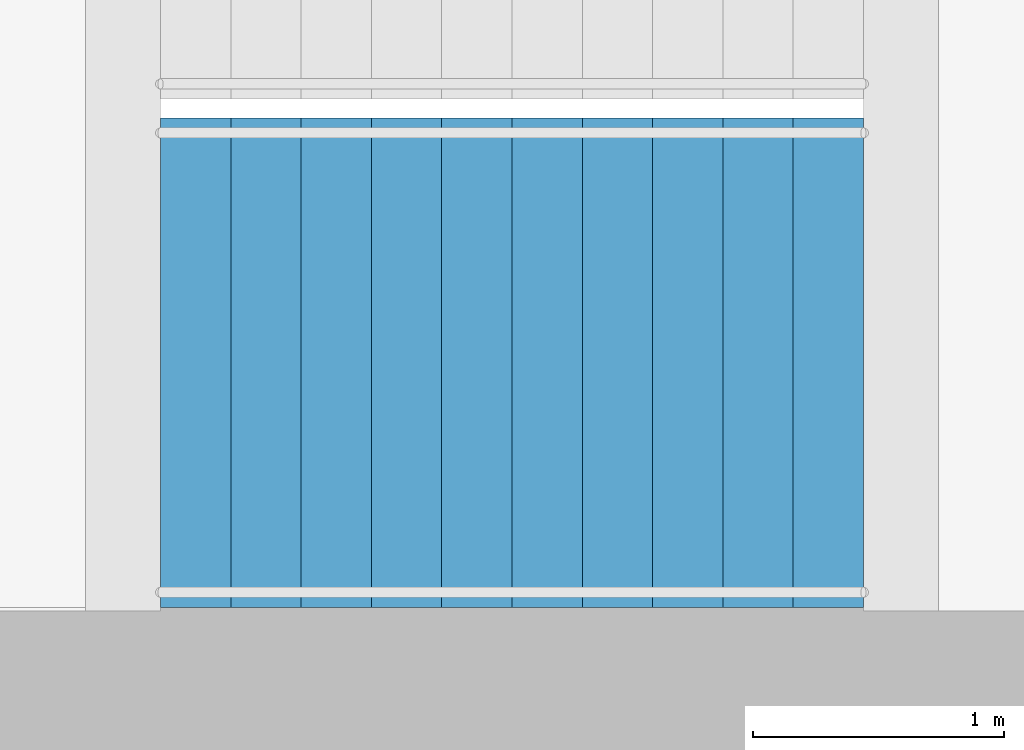
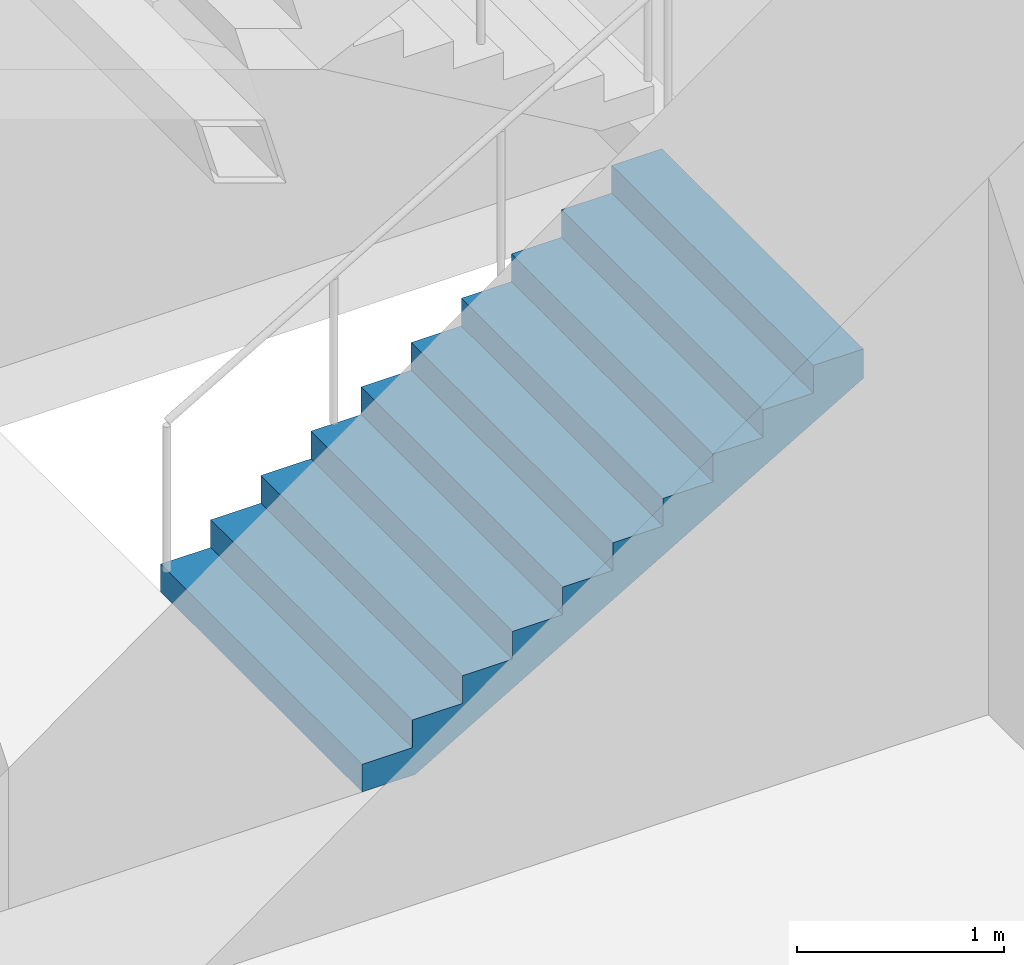
# One storey, part 14 of 22: 1 stair flight, 1 element without a shape of its own.
"""IFC4 building model written with IfcOpenShell, lengths in metres."""

from ifc_helpers import new_model, si_unit, direction, frame, origin, place, context, subcontext, project, spatial, triangles, material, type_object, element, aggregate, save


model = new_model("IFC4")

# Units and contexts
model_context = context("Model", 3, precision=1e-05, world=origin(), true_north=direction((0.0, 1.0)))
body_context = subcontext(model_context, "Body", "Model", "MODEL_VIEW")
ifc_project = project(units=[si_unit("LENGTHUNIT", "METRE"), si_unit("AREAUNIT", "SQUARE_METRE"), si_unit("VOLUMEUNIT", "CUBIC_METRE"), si_unit("PLANEANGLEUNIT", "RADIAN"), si_unit("MASSUNIT", "GRAM", prefix="KILO")], contexts=[model_context])

# Site, building, storey
site_placement = place(None, origin())
site = spatial("IfcSite", under=ifc_project, at=site_placement, CompositionType="ELEMENT")
building_placement = place(site_placement, origin())
building = spatial("IfcBuilding", under=site, at=building_placement, Name="Orbita Commons", CompositionType="ELEMENT")
storey_placement = place(building_placement, frame((0.0, 0.0, 133.14990234375)))
storey = spatial("IfcBuildingStorey", under=building, at=storey_placement, Name="L33", CompositionType="ELEMENT", Elevation=133.14990234375)

# Stair, stair flight
ifc_material_1 = material(Name="Precast concrete C40/50", Category="concrete")
stair_type = type_object("IfcStairType", Name="Exit stair S1 4 flights 11 risers 164", PredefinedType="HALF_TURN_STAIR", material=ifc_material_1)
stair_placement = place(storey_placement, origin())
stair = element("IfcStair", 1, at=stair_placement, inside=storey, type_object=stair_type, Name="Exit stair S1 L33", PredefinedType="HALF_TURN_STAIR")
ifc_material_2 = material(Name="Precast concrete C40/50", Category="concrete")
stair_flight_type = type_object("IfcStairFlightType", Name="Stair flight 11 risers 164 x 280", PredefinedType="STRAIGHT", material=ifc_material_2)
stair_flight_placement = place(storey_placement, frame((20.449951171875, 27.25, 0.0), z_axis=(0.0, 0.0, 1.0), x_axis=(1.0, 0.0, 0.0)))
stair_flight = element("IfcStairFlight", 2, at=stair_flight_placement, type_object=stair_flight_type, Name="S1 flight 1", NumberOfRisers=11, NumberOfTreads=10, PredefinedType="STRAIGHT", RiserHeight=0.163636364, TreadLength=0.28, context=body_context, shape_type="Tessellation", body=[
    triangles([(0.0, 0.974976, 0.0), (0.0, 0.974976, 0.020455), (0.0, 0.81248, 0.020455), (0.0, 0.81248, 0.0), (0.0, 0.649984, 0.020455), (0.0, 0.649984, 0.0), (0.0, 0.487488, 0.020455), (0.0, 0.487488, 0.0), (0.0, 0.324992, 0.020455), (0.0, 0.324992, 0.0), (0.0, 0.162496, 0.020455), (0.0, 0.162496, 0.0), (0.0, 0.0, 0.020455), (0.0, 0.0, 0.0), (0.0, -0.162496, 0.020455), (0.0, -0.162496, 0.0), (0.0, -0.324992, 0.020455), (0.0, -0.324992, 0.0), (0.0, -0.487488, 0.020455), (0.0, -0.487488, 0.0), (0.0, -0.649984, 0.020455), (0.0, -0.649984, 0.0), (0.0, -0.81248, 0.020455), (0.0, -0.81248, 0.0), (0.0, -0.974976, 0.020455), (0.0, -0.974976, 0.0), (0.0, 0.974976, 0.040909), (0.0, 0.81248, 0.040909), (0.0, 0.649984, 0.040909), (0.0, 0.487488, 0.040909), (0.0, 0.324992, 0.040909), (0.0, 0.162496, 0.040909), (0.0, 0.0, 0.040909), (0.0, -0.162496, 0.040909), (0.0, -0.324992, 0.040909), (0.0, -0.487488, 0.040909), (0.0, -0.649984, 0.040909), (0.0, -0.81248, 0.040909), (0.0, -0.974976, 0.040909), (0.0, 0.974976, 0.061364), (0.0, 0.81248, 0.061364), (0.0, 0.649984, 0.061364), (0.0, 0.487488, 0.061364), (0.0, 0.324992, 0.061364), (0.0, 0.162496, 0.061364), (0.0, 0.0, 0.061364), (0.0, -0.162496, 0.061364), (0.0, -0.324992, 0.061364), (0.0, -0.487488, 0.061364), (0.0, -0.649984, 0.061364), (0.0, -0.81248, 0.061364), (0.0, -0.974976, 0.061364), (0.0, 0.974976, 0.081818), (0.0, 0.81248, 0.081818), (0.0, 0.649984, 0.081818), (0.0, 0.487488, 0.081818), (0.0, 0.324992, 0.081818), (0.0, 0.162496, 0.081818), (0.0, 0.0, 0.081818), (0.0, -0.162496, 0.081818), (0.0, -0.324992, 0.081818), (0.0, -0.487488, 0.081818), (0.0, -0.649984, 0.081818), (0.0, -0.81248, 0.081818), (0.0, -0.974976, 0.081818), (0.0, 0.974976, 0.102273), (0.0, 0.81248, 0.102273), (0.0, 0.649984, 0.102273), (0.0, 0.487488, 0.102273), (0.0, 0.324992, 0.102273), (0.0, 0.162496, 0.102273), (0.0, 0.0, 0.102273), (0.0, -0.162496, 0.102273), (0.0, -0.324992, 0.102273), (0.0, -0.487488, 0.102273), (0.0, -0.649984, 0.102273), (0.0, -0.81248, 0.102273), (0.0, -0.974976, 0.102273), (0.0, 0.974976, 0.122727), (0.0, 0.81248, 0.122727), (0.0, 0.649984, 0.122727), (0.0, 0.487488, 0.122727), (0.0, 0.324992, 0.122727), (0.0, 0.162496, 0.122727), (0.0, 0.0, 0.122727), (0.0, -0.162496, 0.122727), (0.0, -0.324992, 0.122727), (0.0, -0.487488, 0.122727), (0.0, -0.649984, 0.122727), (0.0, -0.81248, 0.122727), (0.0, -0.974976, 0.122727), (0.0, 0.974976, 0.143182), (0.0, 0.81248, 0.143182), (0.0, 0.649984, 0.143182), (0.0, 0.487488, 0.143182), (0.0, 0.324992, 0.143182), (0.0, 0.162496, 0.143182), (0.0, 0.0, 0.143182), (0.0, -0.162496, 0.143182), (0.0, -0.324992, 0.143182), (0.0, -0.487488, 0.143182), (0.0, -0.649984, 0.143182), (0.0, -0.81248, 0.143182), (0.0, -0.974976, 0.143182), (0.0, 0.974976, 0.163636), (0.0, 0.81248, 0.163636), (0.0, 0.649984, 0.163636), (0.0, 0.487488, 0.163636), (0.0, 0.324992, 0.163636), (0.0, 0.162496, 0.163636), (0.0, 0.0, 0.163636), (0.0, -0.162496, 0.163636), (0.0, -0.324992, 0.163636), (0.0, -0.487488, 0.163636), (0.0, -0.649984, 0.163636), (0.0, -0.81248, 0.163636), (0.0, -0.974976, 0.163636), (0.28, 0.974976, 0.163636), (0.28, 0.81248, 0.163636), (0.28, 0.649984, 0.163636), (0.28, 0.487488, 0.163636), (0.28, 0.324992, 0.163636), (0.28, 0.162496, 0.163636), (0.28, 0.0, 0.163636), (0.28, -0.162496, 0.163636), (0.28, -0.324992, 0.163636), (0.28, -0.487488, 0.163636), (0.28, -0.649984, 0.163636), (0.28, -0.81248, 0.163636), (0.28, -0.974976, 0.163636), (0.28, 0.974976, 0.327273), (0.28, 0.81248, 0.327273), (0.28, 0.649984, 0.327273), (0.28, 0.487488, 0.327273), (0.28, 0.324992, 0.327273), (0.28, 0.162496, 0.327273), (0.28, 0.0, 0.327273), (0.28, -0.162496, 0.327273), (0.28, -0.324992, 0.327273), (0.28, -0.487488, 0.327273), (0.28, -0.649984, 0.327273), (0.28, -0.81248, 0.327273), (0.28, -0.974976, 0.327273), (0.56, 0.974976, 0.327273), (0.56, 0.81248, 0.327273), (0.56, 0.649984, 0.327273), (0.56, 0.487488, 0.327273), (0.56, 0.324992, 0.327273), (0.56, 0.162496, 0.327273), (0.56, 0.0, 0.327273), (0.56, -0.162496, 0.327273), (0.56, -0.324992, 0.327273), (0.56, -0.487488, 0.327273), (0.56, -0.649984, 0.327273), (0.56, -0.81248, 0.327273), (0.56, -0.974976, 0.327273), (0.56, 0.974976, 0.490909), (0.56, 0.81248, 0.490909), (0.56, 0.649984, 0.490909), (0.56, 0.487488, 0.490909), (0.56, 0.324992, 0.490909), (0.56, 0.162496, 0.490909), (0.56, 0.0, 0.490909), (0.56, -0.162496, 0.490909), (0.56, -0.324992, 0.490909), (0.56, -0.487488, 0.490909), (0.56, -0.649984, 0.490909), (0.56, -0.81248, 0.490909), (0.56, -0.974976, 0.490909), (0.84, 0.974976, 0.490909), (0.84, 0.81248, 0.490909), (0.84, 0.649984, 0.490909), (0.84, 0.487488, 0.490909), (0.84, 0.324992, 0.490909), (0.84, 0.162496, 0.490909), (0.84, 0.0, 0.490909), (0.84, -0.162496, 0.490909), (0.84, -0.324992, 0.490909), (0.84, -0.487488, 0.490909), (0.84, -0.649984, 0.490909), (0.84, -0.81248, 0.490909), (0.84, -0.974976, 0.490909), (0.84, 0.974976, 0.654545), (0.84, 0.81248, 0.654545), (0.84, 0.649984, 0.654545), (0.84, 0.487488, 0.654545), (0.84, 0.324992, 0.654545), (0.84, 0.162496, 0.654545), (0.84, 0.0, 0.654545), (0.84, -0.162496, 0.654545), (0.84, -0.324992, 0.654545), (0.84, -0.487488, 0.654545), (0.84, -0.649984, 0.654545), (0.84, -0.81248, 0.654545), (0.84, -0.974976, 0.654545), (1.12, 0.974976, 0.654545), (1.12, 0.81248, 0.654545), (1.12, 0.649984, 0.654545), (1.12, 0.487488, 0.654545), (1.12, 0.324992, 0.654545), (1.12, 0.162496, 0.654545), (1.12, 0.0, 0.654545), (1.12, -0.162496, 0.654545), (1.12, -0.324992, 0.654545), (1.12, -0.487488, 0.654545), (1.12, -0.649984, 0.654545), (1.12, -0.81248, 0.654545), (1.12, -0.974976, 0.654545), (1.12, 0.974976, 0.818182), (1.12, 0.81248, 0.818182), (1.12, 0.649984, 0.818182), (1.12, 0.487488, 0.818182), (1.12, 0.324992, 0.818182), (1.12, 0.162496, 0.818182), (1.12, 0.0, 0.818182), (1.12, -0.162496, 0.818182), (1.12, -0.324992, 0.818182), (1.12, -0.487488, 0.818182), (1.12, -0.649984, 0.818182), (1.12, -0.81248, 0.818182), (1.12, -0.974976, 0.818182), (1.4, 0.974976, 0.818182), (1.4, 0.81248, 0.818182), (1.4, 0.649984, 0.818182), (1.4, 0.487488, 0.818182), (1.4, 0.324992, 0.818182), (1.4, 0.162496, 0.818182), (1.4, 0.0, 0.818182), (1.4, -0.162496, 0.818182), (1.4, -0.324992, 0.818182), (1.4, -0.487488, 0.818182), (1.4, -0.649984, 0.818182), (1.4, -0.81248, 0.818182), (1.4, -0.974976, 0.818182), (1.4, 0.974976, 0.981818), (1.4, 0.81248, 0.981818), (1.4, 0.649984, 0.981818), (1.4, 0.487488, 0.981818), (1.4, 0.324992, 0.981818), (1.4, 0.162496, 0.981818), (1.4, 0.0, 0.981818), (1.4, -0.162496, 0.981818), (1.4, -0.324992, 0.981818), (1.4, -0.487488, 0.981818), (1.4, -0.649984, 0.981818), (1.4, -0.81248, 0.981818), (1.4, -0.974976, 0.981818), (1.68, 0.974976, 0.981818), (1.68, 0.81248, 0.981818), (1.68, 0.649984, 0.981818), (1.68, 0.487488, 0.981818), (1.68, 0.324992, 0.981818), (1.68, 0.162496, 0.981818), (1.68, 0.0, 0.981818), (1.68, -0.162496, 0.981818), (1.68, -0.324992, 0.981818), (1.68, -0.487488, 0.981818), (1.68, -0.649984, 0.981818), (1.68, -0.81248, 0.981818), (1.68, -0.974976, 0.981818), (1.68, 0.974976, 1.145455), (1.68, 0.81248, 1.145455), (1.68, 0.649984, 1.145455), (1.68, 0.487488, 1.145455), (1.68, 0.324992, 1.145455), (1.68, 0.162496, 1.145455), (1.68, 0.0, 1.145455), (1.68, -0.162496, 1.145455), (1.68, -0.324992, 1.145455), (1.68, -0.487488, 1.145455), (1.68, -0.649984, 1.145455), (1.68, -0.81248, 1.145455), (1.68, -0.974976, 1.145455), (1.96, 0.974976, 1.145455), (1.96, 0.81248, 1.145455), (1.96, 0.649984, 1.145455), (1.96, 0.487488, 1.145455), (1.96, 0.324992, 1.145455), (1.96, 0.162496, 1.145455), (1.96, 0.0, 1.145455), (1.96, -0.162496, 1.145455), (1.96, -0.324992, 1.145455), (1.96, -0.487488, 1.145455), (1.96, -0.649984, 1.145455), (1.96, -0.81248, 1.145455), (1.96, -0.974976, 1.145455), (1.96, 0.974976, 1.309091), (1.96, 0.81248, 1.309091), (1.96, 0.649984, 1.309091), (1.96, 0.487488, 1.309091), (1.96, 0.324992, 1.309091), (1.96, 0.162496, 1.309091), (1.96, 0.0, 1.309091), (1.96, -0.162496, 1.309091), (1.96, -0.324992, 1.309091), (1.96, -0.487488, 1.309091), (1.96, -0.649984, 1.309091), (1.96, -0.81248, 1.309091), (1.96, -0.974976, 1.309091), (2.24, 0.974976, 1.309091), (2.24, 0.81248, 1.309091), (2.24, 0.649984, 1.309091), (2.24, 0.487488, 1.309091), (2.24, 0.324992, 1.309091), (2.24, 0.162496, 1.309091), (2.24, 0.0, 1.309091), (2.24, -0.162496, 1.309091), (2.24, -0.324992, 1.309091), (2.24, -0.487488, 1.309091), (2.24, -0.649984, 1.309091), (2.24, -0.81248, 1.309091), (2.24, -0.974976, 1.309091), (2.24, 0.974976, 1.472727), (2.24, 0.81248, 1.472727), (2.24, 0.649984, 1.472727), (2.24, 0.487488, 1.472727), (2.24, 0.324992, 1.472727), (2.24, 0.162496, 1.472727), (2.24, 0.0, 1.472727), (2.24, -0.162496, 1.472727), (2.24, -0.324992, 1.472727), (2.24, -0.487488, 1.472727), (2.24, -0.649984, 1.472727), (2.24, -0.81248, 1.472727), (2.24, -0.974976, 1.472727), (2.52, 0.974976, 1.472727), (2.52, 0.81248, 1.472727), (2.52, 0.649984, 1.472727), (2.52, 0.487488, 1.472727), (2.52, 0.324992, 1.472727), (2.52, 0.162496, 1.472727), (2.52, 0.0, 1.472727), (2.52, -0.162496, 1.472727), (2.52, -0.324992, 1.472727), (2.52, -0.487488, 1.472727), (2.52, -0.649984, 1.472727), (2.52, -0.81248, 1.472727), (2.52, -0.974976, 1.472727), (2.52, 0.974976, 1.636364), (2.52, 0.81248, 1.636364), (2.52, 0.649984, 1.636364), (2.52, 0.487488, 1.636364), (2.52, 0.324992, 1.636364), (2.52, 0.162496, 1.636364), (2.52, 0.0, 1.636364), (2.52, -0.162496, 1.636364), (2.52, -0.324992, 1.636364), (2.52, -0.487488, 1.636364), (2.52, -0.649984, 1.636364), (2.52, -0.81248, 1.636364), (2.52, -0.974976, 1.636364), (2.8, 0.974976, 1.636364), (2.8, 0.81248, 1.636364), (2.8, 0.649984, 1.636364), (2.8, 0.487488, 1.636364), (2.8, 0.324992, 1.636364), (2.8, 0.162496, 1.636364), (2.8, 0.0, 1.636364), (2.8, -0.162496, 1.636364), (2.8, -0.324992, 1.636364), (2.8, -0.487488, 1.636364), (2.8, -0.649984, 1.636364), (2.8, -0.81248, 1.636364), (2.8, -0.974976, 1.636364), (2.8, 0.974976, 1.614661), (2.8, 0.81248, 1.614661), (2.8, 0.649984, 1.614661), (2.8, 0.487488, 1.614661), (2.8, 0.324992, 1.614661), (2.8, 0.162496, 1.614661), (2.8, 0.0, 1.614661), (2.8, -0.162496, 1.614661), (2.8, -0.324992, 1.614661), (2.8, -0.487488, 1.614661), (2.8, -0.649984, 1.614661), (2.8, -0.81248, 1.614661), (2.8, -0.974976, 1.614661), (2.8, 0.974976, 1.592958), (2.8, 0.81248, 1.592958), (2.8, 0.649984, 1.592958), (2.8, 0.487488, 1.592958), (2.8, 0.324992, 1.592958), (2.8, 0.162496, 1.592958), (2.8, 0.0, 1.592958), (2.8, -0.162496, 1.592958), (2.8, -0.324992, 1.592958), (2.8, -0.487488, 1.592958), (2.8, -0.649984, 1.592958), (2.8, -0.81248, 1.592958), (2.8, -0.974976, 1.592958), (2.8, 0.974976, 1.571255), (2.8, 0.81248, 1.571255), (2.8, 0.649984, 1.571255), (2.8, 0.487488, 1.571255), (2.8, 0.324992, 1.571255), (2.8, 0.162496, 1.571255), (2.8, 0.0, 1.571255), (2.8, -0.162496, 1.571255), (2.8, -0.324992, 1.571255), (2.8, -0.487488, 1.571255), (2.8, -0.649984, 1.571255), (2.8, -0.81248, 1.571255), (2.8, -0.974976, 1.571255), (2.8, 0.974976, 1.549551), (2.8, 0.81248, 1.549551), (2.8, 0.649984, 1.549551), (2.8, 0.487488, 1.549551), (2.8, 0.324992, 1.549551), (2.8, 0.162496, 1.549551), (2.8, 0.0, 1.549551), (2.8, -0.162496, 1.549551), (2.8, -0.324992, 1.549551), (2.8, -0.487488, 1.549551), (2.8, -0.649984, 1.549551), (2.8, -0.81248, 1.549551), (2.8, -0.974976, 1.549551), (2.8, 0.974976, 1.527848), (2.8, 0.81248, 1.527848), (2.8, 0.649984, 1.527848), (2.8, 0.487488, 1.527848), (2.8, 0.324992, 1.527848), (2.8, 0.162496, 1.527848), (2.8, 0.0, 1.527848), (2.8, -0.162496, 1.527848), (2.8, -0.324992, 1.527848), (2.8, -0.487488, 1.527848), (2.8, -0.649984, 1.527848), (2.8, -0.81248, 1.527848), (2.8, -0.974976, 1.527848), (2.8, 0.974976, 1.506145), (2.8, 0.81248, 1.506145), (2.8, 0.649984, 1.506145), (2.8, 0.487488, 1.506145), (2.8, 0.324992, 1.506145), (2.8, 0.162496, 1.506145), (2.8, 0.0, 1.506145), (2.8, -0.162496, 1.506145), (2.8, -0.324992, 1.506145), (2.8, -0.487488, 1.506145), (2.8, -0.649984, 1.506145), (2.8, -0.81248, 1.506145), (2.8, -0.974976, 1.506145), (2.8, 0.974976, 1.484442), (2.8, 0.81248, 1.484442), (2.8, 0.649984, 1.484442), (2.8, 0.487488, 1.484442), (2.8, 0.324992, 1.484442), (2.8, 0.162496, 1.484442), (2.8, 0.0, 1.484442), (2.8, -0.162496, 1.484442), (2.8, -0.324992, 1.484442), (2.8, -0.487488, 1.484442), (2.8, -0.649984, 1.484442), (2.8, -0.81248, 1.484442), (2.8, -0.974976, 1.484442), (2.8, 0.974976, 1.462739), (2.8, 0.81248, 1.462739), (2.8, 0.649984, 1.462739), (2.8, 0.487488, 1.462739), (2.8, 0.324992, 1.462739), (2.8, 0.162496, 1.462739), (2.8, 0.0, 1.462739), (2.8, -0.162496, 1.462739), (2.8, -0.324992, 1.462739), (2.8, -0.487488, 1.462739), (2.8, -0.649984, 1.462739), (2.8, -0.81248, 1.462739), (2.8, -0.974976, 1.462739), (0.29709, 0.974976, 0.0), (0.29709, 0.81248, 0.0), (0.29709, 0.649984, 0.0), (0.29709, 0.487488, 0.0), (0.29709, 0.324992, 0.0), (0.29709, 0.162496, 0.0), (0.29709, 0.0, 0.0), (0.29709, -0.162496, 0.0), (0.29709, -0.324992, 0.0), (0.29709, -0.487488, 0.0), (0.29709, -0.649984, 0.0), (0.29709, -0.81248, 0.0), (0.29709, -0.974976, 0.0)], [[3, 2, 1], [4, 3, 1], [5, 3, 4], [6, 5, 4], [7, 5, 6], [8, 7, 6], [9, 7, 8], [10, 9, 8], [11, 9, 10], [12, 11, 10], [13, 11, 12], [14, 13, 12], [15, 13, 14], [16, 15, 14], [17, 15, 16], [18, 17, 16], [19, 17, 18], [20, 19, 18], [21, 19, 20], [22, 21, 20], [23, 21, 22], [24, 23, 22], [25, 23, 24], [26, 25, 24], [28, 27, 2], [3, 28, 2], [29, 28, 3], [5, 29, 3], [30, 29, 5], [7, 30, 5], [31, 30, 7], [9, 31, 7], [32, 31, 9], [11, 32, 9], [33, 32, 11], [13, 33, 11], [34, 33, 13], [15, 34, 13], [35, 34, 15], [17, 35, 15], [36, 35, 17], [19, 36, 17], [37, 36, 19], [21, 37, 19], [38, 37, 21], [23, 38, 21], [39, 38, 23], [25, 39, 23], [41, 40, 27], [28, 41, 27], [42, 41, 28], [29, 42, 28], [43, 42, 29], [30, 43, 29], [44, 43, 30], [31, 44, 30], [45, 44, 31], [32, 45, 31], [46, 45, 32], [33, 46, 32], [47, 46, 33], [34, 47, 33], [48, 47, 34], [35, 48, 34], [49, 48, 35], [36, 49, 35], [50, 49, 36], [37, 50, 36], [51, 50, 37], [38, 51, 37], [52, 51, 38], [39, 52, 38], [54, 53, 40], [41, 54, 40], [55, 54, 41], [42, 55, 41], [56, 55, 42], [43, 56, 42], [57, 56, 43], [44, 57, 43], [58, 57, 44], [45, 58, 44], [59, 58, 45], [46, 59, 45], [60, 59, 46], [47, 60, 46], [61, 60, 47], [48, 61, 47], [62, 61, 48], [49, 62, 48], [63, 62, 49], [50, 63, 49], [64, 63, 50], [51, 64, 50], [65, 64, 51], [52, 65, 51], [67, 66, 53], [54, 67, 53], [68, 67, 54], [55, 68, 54], [69, 68, 55], [56, 69, 55], [70, 69, 56], [57, 70, 56], [71, 70, 57], [58, 71, 57], [72, 71, 58], [59, 72, 58], [73, 72, 59], [60, 73, 59], [74, 73, 60], [61, 74, 60], [75, 74, 61], [62, 75, 61], [76, 75, 62], [63, 76, 62], [77, 76, 63], [64, 77, 63], [78, 77, 64], [65, 78, 64], [80, 79, 66], [67, 80, 66], [81, 80, 67], [68, 81, 67], [82, 81, 68], [69, 82, 68], [83, 82, 69], [70, 83, 69], [84, 83, 70], [71, 84, 70], [85, 84, 71], [72, 85, 71], [86, 85, 72], [73, 86, 72], [87, 86, 73], [74, 87, 73], [88, 87, 74], [75, 88, 74], [89, 88, 75], [76, 89, 75], [90, 89, 76], [77, 90, 76], [91, 90, 77], [78, 91, 77], [93, 92, 79], [80, 93, 79], [94, 93, 80], [81, 94, 80], [95, 94, 81], [82, 95, 81], [96, 95, 82], [83, 96, 82], [97, 96, 83], [84, 97, 83], [98, 97, 84], [85, 98, 84], [99, 98, 85], [86, 99, 85], [100, 99, 86], [87, 100, 86], [101, 100, 87], [88, 101, 87], [102, 101, 88], [89, 102, 88], [103, 102, 89], [90, 103, 89], [104, 103, 90], [91, 104, 90], [106, 105, 92], [93, 106, 92], [107, 106, 93], [94, 107, 93], [108, 107, 94], [95, 108, 94], [109, 108, 95], [96, 109, 95], [110, 109, 96], [97, 110, 96], [111, 110, 97], [98, 111, 97], [112, 111, 98], [99, 112, 98], [113, 112, 99], [100, 113, 99], [114, 113, 100], [101, 114, 100], [115, 114, 101], [102, 115, 101], [116, 115, 102], [103, 116, 102], [117, 116, 103], [104, 117, 103], [119, 118, 105], [106, 119, 105], [120, 119, 106], [107, 120, 106], [121, 120, 107], [108, 121, 107], [122, 121, 108], [109, 122, 108], [123, 122, 109], [110, 123, 109], [124, 123, 110], [111, 124, 110], [125, 124, 111], [112, 125, 111], [126, 125, 112], [113, 126, 112], [127, 126, 113], [114, 127, 113], [128, 127, 114], [115, 128, 114], [129, 128, 115], [116, 129, 115], [130, 129, 116], [117, 130, 116], [132, 131, 118], [119, 132, 118], [133, 132, 119], [120, 133, 119], [134, 133, 120], [121, 134, 120], [135, 134, 121], [122, 135, 121], [136, 135, 122], [123, 136, 122], [137, 136, 123], [124, 137, 123], [138, 137, 124], [125, 138, 124], [139, 138, 125], [126, 139, 125], [140, 139, 126], [127, 140, 126], [141, 140, 127], [128, 141, 127], [142, 141, 128], [129, 142, 128], [143, 142, 129], [130, 143, 129], [145, 144, 131], [132, 145, 131], [146, 145, 132], [133, 146, 132], [147, 146, 133], [134, 147, 133], [148, 147, 134], [135, 148, 134], [149, 148, 135], [136, 149, 135], [150, 149, 136], [137, 150, 136], [151, 150, 137], [138, 151, 137], [152, 151, 138], [139, 152, 138], [153, 152, 139], [140, 153, 139], [154, 153, 140], [141, 154, 140], [155, 154, 141], [142, 155, 141], [156, 155, 142], [143, 156, 142], [158, 157, 144], [145, 158, 144], [159, 158, 145], [146, 159, 145], [160, 159, 146], [147, 160, 146], [161, 160, 147], [148, 161, 147], [162, 161, 148], [149, 162, 148], [163, 162, 149], [150, 163, 149], [164, 163, 150], [151, 164, 150], [165, 164, 151], [152, 165, 151], [166, 165, 152], [153, 166, 152], [167, 166, 153], [154, 167, 153], [168, 167, 154], [155, 168, 154], [169, 168, 155], [156, 169, 155], [171, 170, 157], [158, 171, 157], [172, 171, 158], [159, 172, 158], [173, 172, 159], [160, 173, 159], [174, 173, 160], [161, 174, 160], [175, 174, 161], [162, 175, 161], [176, 175, 162], [163, 176, 162], [177, 176, 163], [164, 177, 163], [178, 177, 164], [165, 178, 164], [179, 178, 165], [166, 179, 165], [180, 179, 166], [167, 180, 166], [181, 180, 167], [168, 181, 167], [182, 181, 168], [169, 182, 168], [184, 183, 170], [171, 184, 170], [185, 184, 171], [172, 185, 171], [186, 185, 172], [173, 186, 172], [187, 186, 173], [174, 187, 173], [188, 187, 174], [175, 188, 174], [189, 188, 175], [176, 189, 175], [190, 189, 176], [177, 190, 176], [191, 190, 177], [178, 191, 177], [192, 191, 178], [179, 192, 178], [193, 192, 179], [180, 193, 179], [194, 193, 180], [181, 194, 180], [195, 194, 181], [182, 195, 181], [197, 196, 183], [184, 197, 183], [198, 197, 184], [185, 198, 184], [199, 198, 185], [186, 199, 185], [200, 199, 186], [187, 200, 186], [201, 200, 187], [188, 201, 187], [202, 201, 188], [189, 202, 188], [203, 202, 189], [190, 203, 189], [204, 203, 190], [191, 204, 190], [205, 204, 191], [192, 205, 191], [206, 205, 192], [193, 206, 192], [207, 206, 193], [194, 207, 193], [208, 207, 194], [195, 208, 194], [210, 209, 196], [197, 210, 196], [211, 210, 197], [198, 211, 197], [212, 211, 198], [199, 212, 198], [213, 212, 199], [200, 213, 199], [214, 213, 200], [201, 214, 200], [215, 214, 201], [202, 215, 201], [216, 215, 202], [203, 216, 202], [217, 216, 203], [204, 217, 203], [218, 217, 204], [205, 218, 204], [219, 218, 205], [206, 219, 205], [220, 219, 206], [207, 220, 206], [221, 220, 207], [208, 221, 207], [223, 222, 209], [210, 223, 209], [224, 223, 210], [211, 224, 210], [225, 224, 211], [212, 225, 211], [226, 225, 212], [213, 226, 212], [227, 226, 213], [214, 227, 213], [228, 227, 214], [215, 228, 214], [229, 228, 215], [216, 229, 215], [230, 229, 216], [217, 230, 216], [231, 230, 217], [218, 231, 217], [232, 231, 218], [219, 232, 218], [233, 232, 219], [220, 233, 219], [234, 233, 220], [221, 234, 220], [236, 235, 222], [223, 236, 222], [237, 236, 223], [224, 237, 223], [238, 237, 224], [225, 238, 224], [239, 238, 225], [226, 239, 225], [240, 239, 226], [227, 240, 226], [241, 240, 227], [228, 241, 227], [242, 241, 228], [229, 242, 228], [243, 242, 229], [230, 243, 229], [244, 243, 230], [231, 244, 230], [245, 244, 231], [232, 245, 231], [246, 245, 232], [233, 246, 232], [247, 246, 233], [234, 247, 233], [249, 248, 235], [236, 249, 235], [250, 249, 236], [237, 250, 236], [251, 250, 237], [238, 251, 237], [252, 251, 238], [239, 252, 238], [253, 252, 239], [240, 253, 239], [254, 253, 240], [241, 254, 240], [255, 254, 241], [242, 255, 241], [256, 255, 242], [243, 256, 242], [257, 256, 243], [244, 257, 243], [258, 257, 244], [245, 258, 244], [259, 258, 245], [246, 259, 245], [260, 259, 246], [247, 260, 246], [262, 261, 248], [249, 262, 248], [263, 262, 249], [250, 263, 249], [264, 263, 250], [251, 264, 250], [265, 264, 251], [252, 265, 251], [266, 265, 252], [253, 266, 252], [267, 266, 253], [254, 267, 253], [268, 267, 254], [255, 268, 254], [269, 268, 255], [256, 269, 255], [270, 269, 256], [257, 270, 256], [271, 270, 257], [258, 271, 257], [272, 271, 258], [259, 272, 258], [273, 272, 259], [260, 273, 259], [275, 274, 261], [262, 275, 261], [276, 275, 262], [263, 276, 262], [277, 276, 263], [264, 277, 263], [278, 277, 264], [265, 278, 264], [279, 278, 265], [266, 279, 265], [280, 279, 266], [267, 280, 266], [281, 280, 267], [268, 281, 267], [282, 281, 268], [269, 282, 268], [283, 282, 269], [270, 283, 269], [284, 283, 270], [271, 284, 270], [285, 284, 271], [272, 285, 271], [286, 285, 272], [273, 286, 272], [288, 287, 274], [275, 288, 274], [289, 288, 275], [276, 289, 275], [290, 289, 276], [277, 290, 276], [291, 290, 277], [278, 291, 277], [292, 291, 278], [279, 292, 278], [293, 292, 279], [280, 293, 279], [294, 293, 280], [281, 294, 280], [295, 294, 281], [282, 295, 281], [296, 295, 282], [283, 296, 282], [297, 296, 283], [284, 297, 283], [298, 297, 284], [285, 298, 284], [299, 298, 285], [286, 299, 285], [301, 300, 287], [288, 301, 287], [302, 301, 288], [289, 302, 288], [303, 302, 289], [290, 303, 289], [304, 303, 290], [291, 304, 290], [305, 304, 291], [292, 305, 291], [306, 305, 292], [293, 306, 292], [307, 306, 293], [294, 307, 293], [308, 307, 294], [295, 308, 294], [309, 308, 295], [296, 309, 295], [310, 309, 296], [297, 310, 296], [311, 310, 297], [298, 311, 297], [312, 311, 298], [299, 312, 298], [314, 313, 300], [301, 314, 300], [315, 314, 301], [302, 315, 301], [316, 315, 302], [303, 316, 302], [317, 316, 303], [304, 317, 303], [318, 317, 304], [305, 318, 304], [319, 318, 305], [306, 319, 305], [320, 319, 306], [307, 320, 306], [321, 320, 307], [308, 321, 307], [322, 321, 308], [309, 322, 308], [323, 322, 309], [310, 323, 309], [324, 323, 310], [311, 324, 310], [325, 324, 311], [312, 325, 311], [327, 326, 313], [314, 327, 313], [328, 327, 314], [315, 328, 314], [329, 328, 315], [316, 329, 315], [330, 329, 316], [317, 330, 316], [331, 330, 317], [318, 331, 317], [332, 331, 318], [319, 332, 318], [333, 332, 319], [320, 333, 319], [334, 333, 320], [321, 334, 320], [335, 334, 321], [322, 335, 321], [336, 335, 322], [323, 336, 322], [337, 336, 323], [324, 337, 323], [338, 337, 324], [325, 338, 324], [340, 339, 326], [327, 340, 326], [341, 340, 327], [328, 341, 327], [342, 341, 328], [329, 342, 328], [343, 342, 329], [330, 343, 329], [344, 343, 330], [331, 344, 330], [345, 344, 331], [332, 345, 331], [346, 345, 332], [333, 346, 332], [347, 346, 333], [334, 347, 333], [348, 347, 334], [335, 348, 334], [349, 348, 335], [336, 349, 335], [350, 349, 336], [337, 350, 336], [351, 350, 337], [338, 351, 337], [353, 352, 339], [340, 353, 339], [354, 353, 340], [341, 354, 340], [355, 354, 341], [342, 355, 341], [356, 355, 342], [343, 356, 342], [357, 356, 343], [344, 357, 343], [358, 357, 344], [345, 358, 344], [359, 358, 345], [346, 359, 345], [360, 359, 346], [347, 360, 346], [361, 360, 347], [348, 361, 347], [362, 361, 348], [349, 362, 348], [363, 362, 349], [350, 363, 349], [364, 363, 350], [351, 364, 350], [366, 365, 352], [353, 366, 352], [367, 366, 353], [354, 367, 353], [368, 367, 354], [355, 368, 354], [369, 368, 355], [356, 369, 355], [370, 369, 356], [357, 370, 356], [371, 370, 357], [358, 371, 357], [372, 371, 358], [359, 372, 358], [373, 372, 359], [360, 373, 359], [374, 373, 360], [361, 374, 360], [375, 374, 361], [362, 375, 361], [376, 375, 362], [363, 376, 362], [377, 376, 363], [364, 377, 363], [379, 378, 365], [366, 379, 365], [380, 379, 366], [367, 380, 366], [381, 380, 367], [368, 381, 367], [382, 381, 368], [369, 382, 368], [383, 382, 369], [370, 383, 369], [384, 383, 370], [371, 384, 370], [385, 384, 371], [372, 385, 371], [386, 385, 372], [373, 386, 372], [387, 386, 373], [374, 387, 373], [388, 387, 374], [375, 388, 374], [389, 388, 375], [376, 389, 375], [390, 389, 376], [377, 390, 376], [392, 391, 378], [379, 392, 378], [393, 392, 379], [380, 393, 379], [394, 393, 380], [381, 394, 380], [395, 394, 381], [382, 395, 381], [396, 395, 382], [383, 396, 382], [397, 396, 383], [384, 397, 383], [398, 397, 384], [385, 398, 384], [399, 398, 385], [386, 399, 385], [400, 399, 386], [387, 400, 386], [401, 400, 387], [388, 401, 387], [402, 401, 388], [389, 402, 388], [403, 402, 389], [390, 403, 389], [405, 404, 391], [392, 405, 391], [406, 405, 392], [393, 406, 392], [407, 406, 393], [394, 407, 393], [408, 407, 394], [395, 408, 394], [409, 408, 395], [396, 409, 395], [410, 409, 396], [397, 410, 396], [411, 410, 397], [398, 411, 397], [412, 411, 398], [399, 412, 398], [413, 412, 399], [400, 413, 399], [414, 413, 400], [401, 414, 400], [415, 414, 401], [402, 415, 401], [416, 415, 402], [403, 416, 402], [418, 417, 404], [405, 418, 404], [419, 418, 405], [406, 419, 405], [420, 419, 406], [407, 420, 406], [421, 420, 407], [408, 421, 407], [422, 421, 408], [409, 422, 408], [423, 422, 409], [410, 423, 409], [424, 423, 410], [411, 424, 410], [425, 424, 411], [412, 425, 411], [426, 425, 412], [413, 426, 412], [427, 426, 413], [414, 427, 413], [428, 427, 414], [415, 428, 414], [429, 428, 415], [416, 429, 415], [431, 430, 417], [418, 431, 417], [432, 431, 418], [419, 432, 418], [433, 432, 419], [420, 433, 419], [434, 433, 420], [421, 434, 420], [435, 434, 421], [422, 435, 421], [436, 435, 422], [423, 436, 422], [437, 436, 423], [424, 437, 423], [438, 437, 424], [425, 438, 424], [439, 438, 425], [426, 439, 425], [440, 439, 426], [427, 440, 426], [441, 440, 427], [428, 441, 427], [442, 441, 428], [429, 442, 428], [444, 443, 430], [431, 444, 430], [445, 444, 431], [432, 445, 431], [446, 445, 432], [433, 446, 432], [447, 446, 433], [434, 447, 433], [448, 447, 434], [435, 448, 434], [449, 448, 435], [436, 449, 435], [450, 449, 436], [437, 450, 436], [451, 450, 437], [438, 451, 437], [452, 451, 438], [439, 452, 438], [453, 452, 439], [440, 453, 439], [454, 453, 440], [441, 454, 440], [455, 454, 441], [442, 455, 441], [457, 456, 443], [444, 457, 443], [458, 457, 444], [445, 458, 444], [459, 458, 445], [446, 459, 445], [460, 459, 446], [447, 460, 446], [461, 460, 447], [448, 461, 447], [462, 461, 448], [449, 462, 448], [463, 462, 449], [450, 463, 449], [464, 463, 450], [451, 464, 450], [465, 464, 451], [452, 465, 451], [466, 465, 452], [453, 466, 452], [467, 466, 453], [454, 467, 453], [468, 467, 454], [455, 468, 454], [470, 469, 456], [457, 470, 456], [471, 470, 457], [458, 471, 457], [472, 471, 458], [459, 472, 458], [473, 472, 459], [460, 473, 459], [474, 473, 460], [461, 474, 460], [475, 474, 461], [462, 475, 461], [476, 475, 462], [463, 476, 462], [477, 476, 463], [464, 477, 463], [478, 477, 464], [465, 478, 464], [479, 478, 465], [466, 479, 465], [480, 479, 466], [467, 480, 466], [481, 480, 467], [468, 481, 467], [4, 1, 469], [470, 4, 469], [6, 4, 470], [471, 6, 470], [8, 6, 471], [472, 8, 471], [10, 8, 472], [473, 10, 472], [12, 10, 473], [474, 12, 473], [14, 12, 474], [475, 14, 474], [16, 14, 475], [476, 16, 475], [18, 16, 476], [477, 18, 476], [20, 18, 477], [478, 20, 477], [22, 20, 478], [479, 22, 478], [24, 22, 479], [480, 24, 479], [26, 24, 480], [481, 26, 480], [456, 469, 1], [26, 481, 468], [443, 456, 1], [26, 468, 455], [430, 443, 1], [26, 455, 442], [417, 430, 1], [26, 442, 429], [404, 417, 1], [26, 429, 416], [391, 404, 1], [26, 416, 403], [378, 391, 1], [26, 403, 390], [365, 378, 1], [26, 390, 377], [339, 352, 365], [377, 364, 351], [326, 339, 365], [377, 351, 338], [300, 313, 326], [338, 325, 312], [300, 326, 365], [377, 338, 312], [274, 287, 300], [312, 299, 286], [274, 300, 365], [377, 312, 286], [248, 261, 274], [286, 273, 260], [248, 274, 365], [377, 286, 260], [222, 235, 248], [260, 247, 234], [222, 248, 365], [377, 260, 234], [196, 209, 222], [234, 221, 208], [196, 222, 365], [377, 234, 208], [170, 183, 196], [208, 195, 182], [170, 196, 365], [377, 208, 182], [144, 157, 170], [182, 169, 156], [144, 170, 365], [377, 182, 156], [118, 131, 144], [156, 143, 130], [118, 144, 365], [377, 156, 130], [118, 365, 1], [26, 377, 130], [92, 105, 118], [130, 117, 104], [79, 92, 118], [130, 104, 91], [66, 79, 118], [130, 91, 78], [53, 66, 118], [130, 78, 65], [40, 53, 118], [130, 65, 52], [27, 40, 118], [130, 52, 39], [2, 27, 118], [130, 39, 25], [1, 2, 118], [130, 25, 26]], closed=True),
])
aggregate(stair, [stair_flight])

save(model, "model.ifc")
